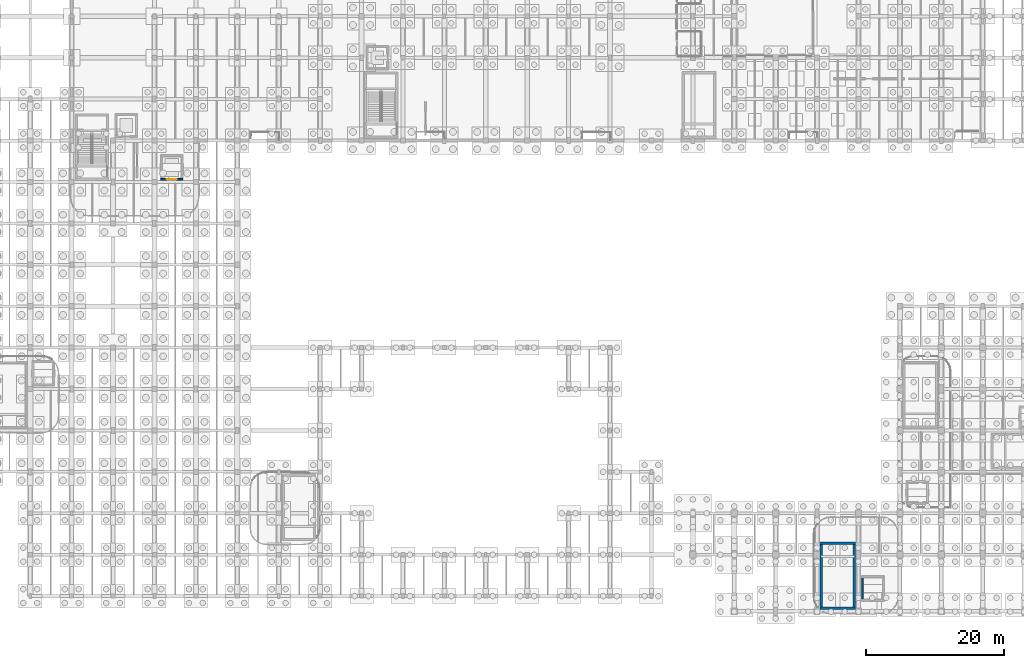
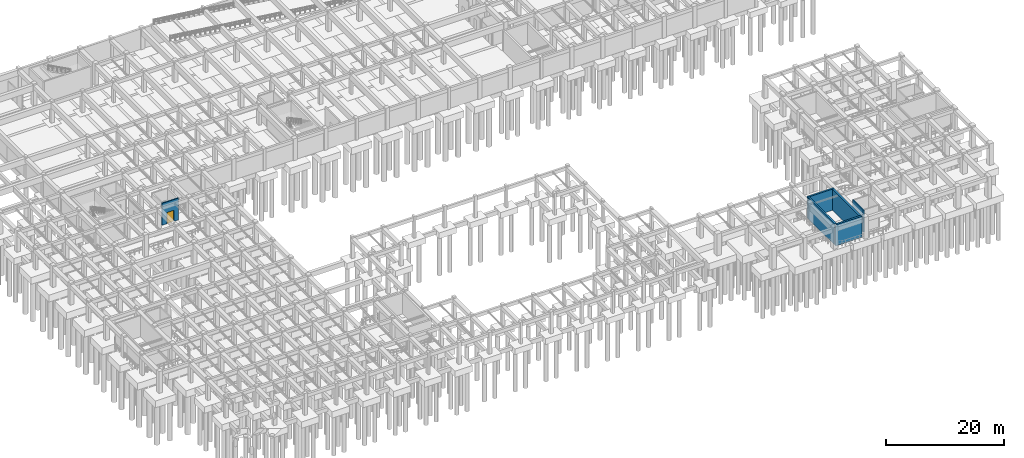
# One storey, part 18 of 32: 6 walls, 1 door, 1 opening.
"""IFC4 building model written with IfcOpenShell, lengths in metres."""

from ifc_helpers import new_model, si_unit, direction, frame, frame_2d, origin, place, context, subcontext, project, spatial, rectangle, extrude, material, layer, layer_set, type_object, element, fill, save


model = new_model("IFC4")

# Units and contexts
model_context = context("Model", 3, precision=1e-05, world=origin(), true_north=direction((0.0, 1.0)))
body_context = subcontext(model_context, "Body", "Model", "MODEL_VIEW")
ifc_project = project(units=[si_unit("LENGTHUNIT", "METRE"), si_unit("AREAUNIT", "SQUARE_METRE"), si_unit("VOLUMEUNIT", "CUBIC_METRE"), si_unit("PLANEANGLEUNIT", "RADIAN"), si_unit("MASSUNIT", "GRAM", prefix="KILO")], contexts=[model_context])

# Site, building, storey
site_placement = place(None, origin())
site = spatial("IfcSite", under=ifc_project, at=site_placement, CompositionType="ELEMENT")
building_placement = place(site_placement, origin())
building = spatial("IfcBuilding", under=site, at=building_placement, Name="Varnakota Square Police Headquarters", CompositionType="ELEMENT")
storey_placement = place(building_placement, frame((0.0, 0.0, -4.5)))
storey = spatial("IfcBuildingStorey", under=building, at=storey_placement, Name="B1", CompositionType="ELEMENT", Elevation=-4.5)

# Wall
ifc_material_1 = material(Name="Concrete M40", Category="concrete")
ifc_layer_1 = layer(ifc_material_1, 0.22998046875, Name="Concrete M40")
ifc_layer_set_1 = layer_set([ifc_layer_1], Name="Concrete M40")
wall_type_1 = type_object("IfcWallType", Name="WL-CORE-230", PredefinedType="SHEAR", material=ifc_layer_set_1)
wall_1_placement = place(storey_placement, frame((132.60009765625, 5.9150390625, 0.0), z_axis=(0.0, 0.0, 1.0), x_axis=(0.0, -1.0, 0.0)))
element("IfcWall", 1, at=wall_1_placement, inside=storey, type_object=wall_type_1, Name="Lift shaft wall LF-FF1 B1 W", PredefinedType="SHEAR", context=body_context, shape_type="SweptSolid", body=[
    extrude(rectangle(XDim=3.630126953125, YDim=0.22998046875, at=frame_2d((1.81494140625, 0.0))), origin(), (0.0, 0.0, 1.0), 4.5),
])

# Wall, opening, door
wall_2_placement = place(storey_placement, frame((30.885009765625, 63.39990234375, 0.0), z_axis=(0.0, 0.0, 1.0), x_axis=(1.0, 0.0, 0.0)))
wall_2 = element("IfcWall", 2, at=wall_2_placement, inside=storey, type_object=wall_type_1, Name="Lift shaft wall LF-G1 B1 S", PredefinedType="SHEAR", context=body_context, shape_type="SweptSolid", body=[
    extrude(rectangle(XDim=3.22998046875, YDim=0.22998046875, at=frame_2d((1.614990234375, 0.0))), origin(), (0.0, 0.0, 1.0), 4.5),
])
opening_placement = place(wall_2_placement, frame((0.9150390625, 0.0, 0.0)))
opening = element("IfcOpeningElement", 3, at=opening_placement, cuts=wall_2, Name="Opening LD044", PredefinedType="OPENING", context=body_context, shape_type="SweptSolid", body=[
    extrude(rectangle(XDim=1.39990234375, YDim=2.300048828125, at=frame_2d((0.699951171875, 1.14990234375))), frame((0.0, 0.125, 0.0), z_axis=(0.0, -1.0, 0.0), x_axis=(1.0, 0.0, 0.0)), (0.0, 0.0, 1.0), 0.25),
])
ifc_material_2 = material(Name="Heavy-Gauge Brushed Stainless Steel", Category="steel")
door_type = type_object("IfcDoorType", Name="DR-LD-GDS", OperationType="NOTDEFINED", PredefinedType="DOOR", material=ifc_material_2)
door_placement = place(opening_placement, origin())
door = element("IfcDoor", 4, at=door_placement, inside=storey, type_object=door_type, Name="Lift sliding landing door LD044", OperationType="SLIDING_TO_LEFT", OverallHeight=2.300048828125, OverallWidth=1.39990234375, PredefinedType="DOOR", context=body_context, shape_type="SweptSolid", body=[
    extrude(rectangle(XDim=1.39990234375, YDim=2.300048828125, at=frame_2d((0.699951171875, 1.14990234375))), frame((0.0, 0.02490234375, 0.0), z_axis=(0.0, -1.0, 0.0), x_axis=(1.0, 0.0, 0.0)), (0.0, 0.0, 1.0), 0.050048828125),
])
fill(opening, door)

# Walls
ifc_material_3 = material(Name="Concrete M50", Category="concrete")
ifc_layer_2 = layer(ifc_material_3, 0.35009765625, Name="Concrete M50")
ifc_layer_set_2 = layer_set([ifc_layer_2], Name="Concrete M50")
wall_type_2 = type_object("IfcWallType", Name="WL-CORE-350", PredefinedType="SHEAR", material=ifc_layer_set_2)
wall_3_placement = place(storey_placement, frame((126.425048828125, 1.25, 0.0), z_axis=(0.0, 0.0, 1.0), x_axis=(1.0, 0.0, 0.0)))
element("IfcWall", 5, at=wall_3_placement, inside=storey, type_object=wall_type_2, Name="Core C1 shear wall B1 S", PredefinedType="SHEAR", context=body_context, shape_type="SweptSolid", body=[
    extrude(rectangle(XDim=5.14990234375, YDim=0.35009765625, at=frame_2d((2.574951171875, 0.0))), origin(), (0.0, 0.0, 1.0), 4.360107421875),
])
wall_4_placement = place(storey_placement, frame((131.39990234375, 1.074951171875, 0.0), z_axis=(0.0, 0.0, 1.0), x_axis=(0.0, 1.0, 0.0)))
element("IfcWall", 6, at=wall_4_placement, inside=storey, type_object=wall_type_2, Name="Core C1 shear wall B1 E", PredefinedType="SHEAR", context=body_context, shape_type="SweptSolid", body=[
    extrude(rectangle(XDim=9.75, YDim=0.35009765625, at=frame_2d((4.875, 0.0))), origin(), (0.0, 0.0, 1.0), 4.360107421875),
])
wall_5_placement = place(storey_placement, frame((131.574951171875, 10.64990234375, 0.0), z_axis=(0.0, 0.0, 1.0), x_axis=(-1.0, 0.0, 0.0)))
element("IfcWall", 7, at=wall_5_placement, inside=storey, type_object=wall_type_2, Name="Core C1 shear wall B1 N", PredefinedType="SHEAR", context=body_context, shape_type="SweptSolid", body=[
    extrude(rectangle(XDim=5.14990234375, YDim=0.35009765625, at=frame_2d((2.574951171875, 0.0))), origin(), (0.0, 0.0, 1.0), 4.360107421875),
])
wall_6_placement = place(storey_placement, frame((126.60009765625, 10.824951171875, 0.0), z_axis=(0.0, 0.0, 1.0), x_axis=(0.0, -1.0, 0.0)))
element("IfcWall", 8, at=wall_6_placement, inside=storey, type_object=wall_type_2, Name="Core C1 shear wall B1 W", PredefinedType="SHEAR", context=body_context, shape_type="SweptSolid", body=[
    extrude(rectangle(XDim=9.75, YDim=0.35009765625, at=frame_2d((4.875, 0.0))), origin(), (0.0, 0.0, 1.0), 4.360107421875),
])

save(model, "model.ifc")
